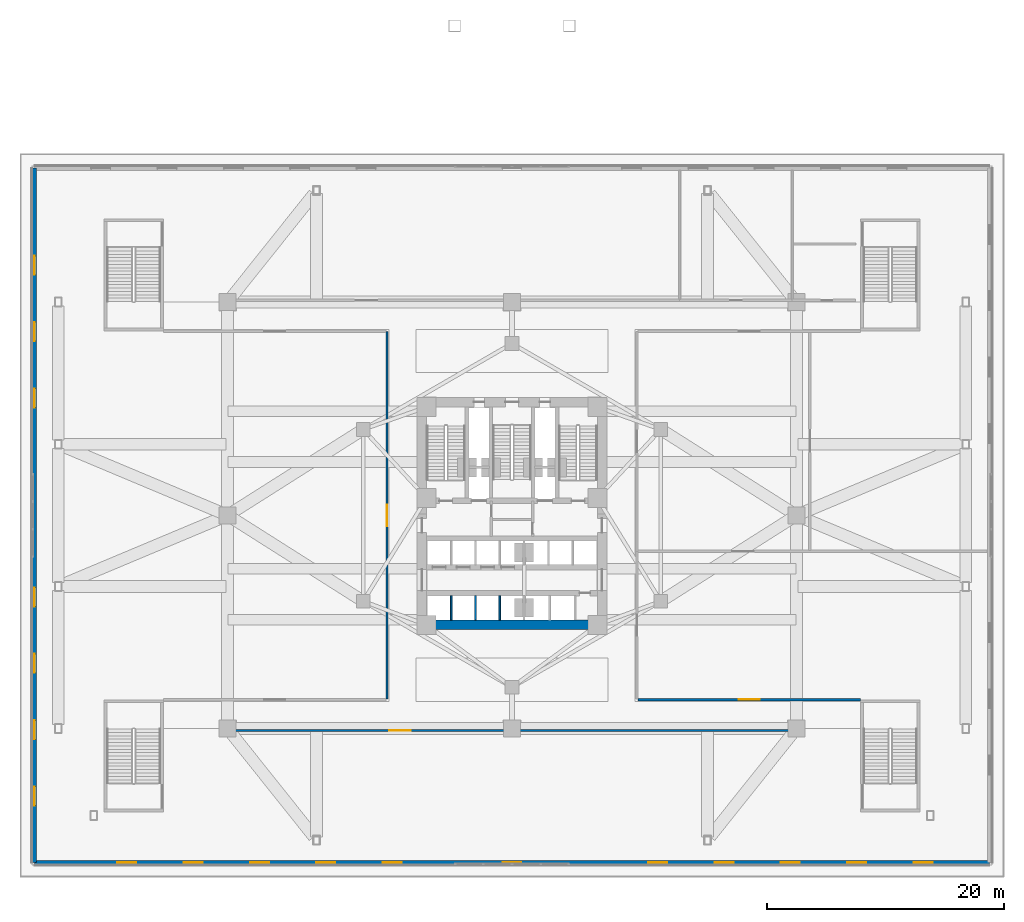
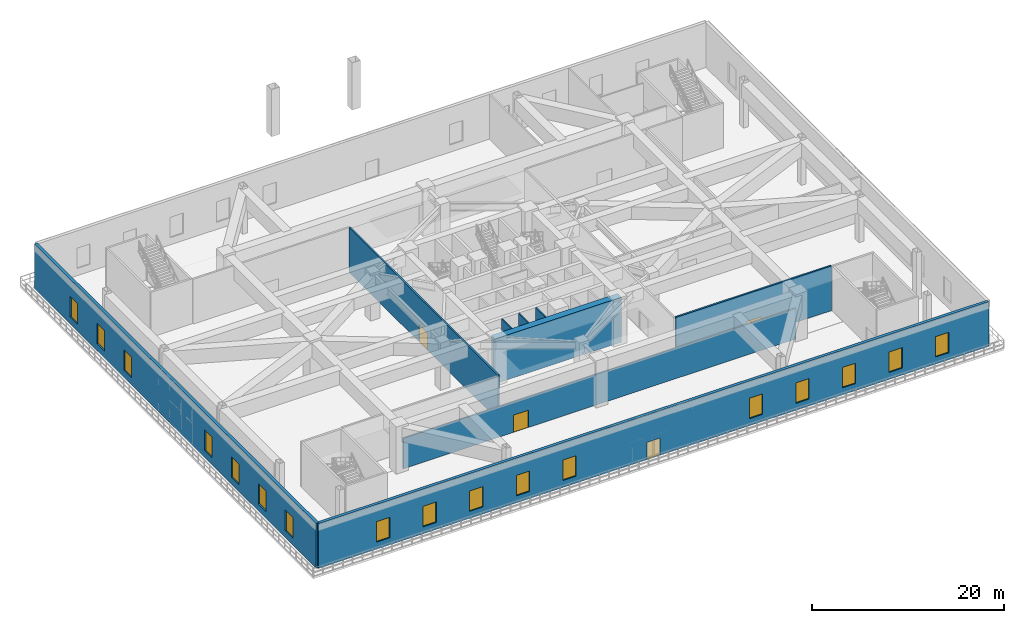
# One storey, part 11 of 25: 17 windows, 9 walls, 4 doors, 21 openings.
"""IFC4 building model written with IfcOpenShell, lengths in metres."""

import ifcopenshell
import ifcopenshell.guid

model = None  # the IFC model being written
_history = None  # IfcOwnerHistory: only IFC2X3 demands one
_inside = {}  # id of a spatial element -> (the spatial element, [elements in it])
_under = {}  # id of a project, library or spatial element -> (it, [spatial elements below it])
_declared = {}  # id of a project -> (the project, [libraries it declares])
_typed = {}  # id of a type object -> (the type object, [elements of that type])
_made_of = {}  # id of a material, layer set ... -> (it, [elements and type objects made of it])


def new_model(schema):
    """Start an empty IFC model of exactly this schema.

    Asked for "IFC4X3", IfcOpenShell would pick the latest addendum, in which some entities
    have other attributes; the version numbers below select the first issue.
    IFC2X3 requires an IfcOwnerHistory on every rooted entity: one is made here for all.
    """
    global model, _history
    if schema == "IFC4X3":
        model = ifcopenshell.file(schema_version=(4, 3, 0, 0))
    else:
        model = ifcopenshell.file(schema=schema)
    _inside.clear()
    _under.clear()
    _declared.clear()
    _typed.clear()
    _made_of.clear()
    _history = None
    if model.schema == "IFC2X3":
        org = make("IfcOrganization", Name="unknown")
        user = make(
            "IfcPersonAndOrganization",
            ThePerson=make("IfcPerson", FamilyName="unknown"),
            TheOrganization=org,
        )
        app = make(
            "IfcApplication",
            ApplicationDeveloper=org,
            Version="unknown",
            ApplicationFullName="unknown",
            ApplicationIdentifier="unknown",
        )
        _history = make(
            "IfcOwnerHistory",
            OwningUser=user,
            OwningApplication=app,
            ChangeAction="ADDED",
            CreationDate=0,
        )
    return model


def make(cls, **values):
    """One entity of the class cls with the attributes given. An attribute that is None is left unset."""
    return model.create_entity(
        cls, **{name: value for name, value in values.items() if value is not None}
    )


def rooted(cls, **values):
    """An entity with a GlobalId (a new one), such as an element, a storey or a relation."""
    return make(cls, GlobalId=ifcopenshell.guid.new(), OwnerHistory=_history, **values)


def si_unit(unit_type, name, prefix=None):
    """IfcSIUnit, for example si_unit("LENGTHUNIT", "METRE", prefix="MILLI")."""
    return make("IfcSIUnit", UnitType=unit_type, Prefix=prefix, Name=name)


def assignment(units):
    """IfcUnitAssignment: the units of a project."""
    return None if units is None else make("IfcUnitAssignment", Units=units)


def point(xyz):
    """IfcCartesianPoint."""
    return None if xyz is None else make("IfcCartesianPoint", Coordinates=xyz)


def direction(xyz):
    """IfcDirection."""
    return None if xyz is None else make("IfcDirection", DirectionRatios=xyz)


def frame(location, z_axis=None, x_axis=None):
    """IfcAxis2Placement3D, a coordinate frame: its origin and axes. An axis left out is left unset."""
    return make(
        "IfcAxis2Placement3D",
        Location=point(location),
        Axis=direction(z_axis),
        RefDirection=direction(x_axis),
    )


def frame_2d(location, x_axis=None):
    """IfcAxis2Placement2D, a coordinate frame in the plane: its origin and x axis."""
    return make(
        "IfcAxis2Placement2D", Location=point(location), RefDirection=direction(x_axis)
    )


def origin():
    """The frame at (0, 0, 0) with its axes left unset."""
    return frame((0.0, 0.0, 0.0))


def place(relative_to, where):
    """IfcLocalPlacement: puts the frame where relative to a parent placement (None: the world)."""
    return make(
        "IfcLocalPlacement", PlacementRelTo=relative_to, RelativePlacement=where
    )


def context(
    kind, dimensions, precision=None, world=None, true_north=None, identifier=None
):
    """IfcGeometricRepresentationContext, for example the 3D "Model" context."""
    return make(
        "IfcGeometricRepresentationContext",
        ContextIdentifier=identifier,
        ContextType=kind,
        CoordinateSpaceDimension=dimensions,
        Precision=precision,
        WorldCoordinateSystem=world,
        TrueNorth=true_north,
    )


def subcontext(parent, identifier, kind, view, scale=None):
    """IfcGeometricRepresentationSubContext, for example "Body" below "Model"."""
    return make(
        "IfcGeometricRepresentationSubContext",
        ContextIdentifier=identifier,
        ContextType=kind,
        ParentContext=parent,
        TargetScale=scale,
        TargetView=view,
    )


def project(units=None, contexts=None):
    """IfcProject with its units and contexts."""
    return rooted(
        "IfcProject",
        Name="project",
        RepresentationContexts=contexts,
        UnitsInContext=assignment(units),
    )


def spatial(cls, under=None, at=None, **own):
    """A site, building, storey or space (cls), placed at a placement, below another one or the project."""
    s = rooted(cls, ObjectPlacement=at, **own)
    if under is not None:
        _under.setdefault(under.id(), (under, []))[1].append(s)
    return s


def profile(cls, at=None, kind="AREA", **sizes):
    """A parametric profile (cls). Its sizes go by their IFC names, for example OverallWidth=200.0."""
    return make(cls, ProfileType=kind, Position=at, **sizes)


def rectangle(**sizes):
    """IfcRectangleProfileDef."""
    return profile("IfcRectangleProfileDef", **sizes)


def extrude(swept, where, along, depth):
    """IfcExtrudedAreaSolid: the profile swept, set in the frame where, extruded along a direction by depth."""
    return make(
        "IfcExtrudedAreaSolid",
        SweptArea=swept,
        Position=where,
        ExtrudedDirection=direction(along),
        Depth=depth,
    )


def shape(context_of_items, identifier, shape_type, items):
    """IfcShapeRepresentation: the items that make up one representation, for example the "Body"."""
    return make(
        "IfcShapeRepresentation",
        ContextOfItems=context_of_items,
        RepresentationIdentifier=identifier,
        RepresentationType=shape_type,
        Items=items,
    )


def material(Name=None, Category=None):
    """IfcMaterial."""
    return make("IfcMaterial", Name=Name, Category=Category)


def layer(
    of_material, thickness, ventilated=None, Name=None, Category=None, Priority=None
):
    """IfcMaterialLayer: one layer of a wall or slab, of a material (None: an air gap)."""
    return make(
        "IfcMaterialLayer",
        Material=of_material,
        LayerThickness=thickness,
        IsVentilated=ventilated,
        Name=Name,
        Category=Category,
        Priority=Priority,
    )


def layer_set(layers, Name=None):
    """IfcMaterialLayerSet."""
    return make("IfcMaterialLayerSet", MaterialLayers=layers, LayerSetName=Name)


def made_of(thing, what):
    """Note that an element or type object is made of a material, layer set ...; save() writes the relation."""
    if what is not None:
        _made_of.setdefault(what.id(), (what, []))[1].append(thing)
    return thing


def type_object(cls, material=None, **own):
    """A type object (cls), such as IfcWallType, which elements share."""
    return made_of(rooted(cls, **own), material)


def element(
    cls,
    number,
    at=None,
    inside=None,
    cuts=None,
    type_object=None,
    material=None,
    context=None,
    identifier="Body",
    shape_type=None,
    held_by="IfcProductDefinitionShape",
    body=None,
    shapes=None,
    **own,
):
    """One element of the class cls, such as IfcWall. Its Tag is "e" and its number.

    at: its placement. inside: the storey or other place that contains it. cuts: it is an
    opening in that element (IfcRelVoidsElement). A single representation is given by context,
    identifier, shape_type and body (its items); several are given by shapes. held_by: the class
    of the entity that holds the representations. save() writes the other relations.
    """
    e = rooted(cls, Tag="e%d" % number, ObjectPlacement=at, **own)
    if body is not None:
        shapes = [shape(context, identifier, shape_type, body)]
    if shapes is not None:
        e.Representation = make(held_by, Representations=shapes)
    if inside is not None:
        _inside.setdefault(inside.id(), (inside, []))[1].append(e)
    if cuts is not None:
        rooted(
            "IfcRelVoidsElement", RelatingBuildingElement=cuts, RelatedOpeningElement=e
        )
    if type_object is not None:
        _typed.setdefault(type_object.id(), (type_object, []))[1].append(e)
    return made_of(e, material)


def fill(opening, filler):
    """IfcRelFillsElement: the door or window that sits in an opening."""
    return rooted(
        "IfcRelFillsElement",
        RelatingOpeningElement=opening,
        RelatedBuildingElement=filler,
    )


def aggregate(whole, parts):
    """IfcRelAggregates: a whole, such as a stair, and the parts it consists of."""
    return rooted("IfcRelAggregates", RelatingObject=whole, RelatedObjects=parts)


def save(model, path):
    """Write the relations noted so far, then the file.

    IfcRelAggregates (storeys below a building ...), IfcRelContainedInSpatialStructure (elements
    in a storey), IfcRelDefinesByType, IfcRelAssociatesMaterial and IfcRelDeclares: one each for
    every whole, place, type object, material and project.
    """
    for whole, parts in _under.values():
        aggregate(whole, parts)
    for where, things in _inside.values():
        rooted(
            "IfcRelContainedInSpatialStructure",
            RelatedElements=things,
            RelatingStructure=where,
        )
    for kind, things in _typed.values():
        rooted("IfcRelDefinesByType", RelatedObjects=things, RelatingType=kind)
    for what, things in _made_of.values():
        rooted("IfcRelAssociatesMaterial", RelatedObjects=things, RelatingMaterial=what)
    for by, libraries in _declared.values():
        rooted("IfcRelDeclares", RelatingContext=by, RelatedDefinitions=libraries)
    model.write(path)


model = new_model("IFC4")

# Units and contexts
model_context = context("Model", 3, precision=1e-05, world=origin(), true_north=direction((0.0, 1.0)))
body_context = subcontext(model_context, "Body", "Model", "MODEL_VIEW")
ifc_project = project(units=[si_unit("LENGTHUNIT", "METRE"), si_unit("AREAUNIT", "SQUARE_METRE"), si_unit("VOLUMEUNIT", "CUBIC_METRE"), si_unit("PLANEANGLEUNIT", "RADIAN"), si_unit("MASSUNIT", "GRAM", prefix="KILO")], contexts=[model_context])

# Site, building, storey
site_placement = place(None, origin())
site = spatial("IfcSite", under=ifc_project, at=site_placement, CompositionType="ELEMENT")
building_placement = place(site_placement, origin())
building = spatial("IfcBuilding", under=site, at=building_placement, Name="Apsidion Concourse Tower", CompositionType="ELEMENT")
storey_placement = place(building_placement, frame((0.0, 0.0, 11.5)))
storey = spatial("IfcBuildingStorey", under=building, at=storey_placement, Name="L02", CompositionType="ELEMENT", Elevation=11.5)

# Wall, openings, door, windows
ifc_material_1 = material(Name="Precast concrete C40/50", Category="concrete")
ifc_layer_1 = layer(ifc_material_1, 0.360107421875)
ifc_layer_set_1 = layer_set([ifc_layer_1], Name="Precast concrete C40/50")
wall_type_1 = type_object("IfcWallType", Name="WL-EXT-360", PredefinedType="STANDARD", material=ifc_layer_set_1)
wall_1_placement = place(storey_placement, frame((40.300048828125, -29.300048828125, 0.0), z_axis=(0.0, 0.0, 1.0), x_axis=(-1.0, 0.0, 0.0)))
wall_1 = element("IfcWall", 1, at=wall_1_placement, inside=storey, type_object=wall_type_1, Name="L02 Podium Precast Stone Facade Wall S", PredefinedType="STANDARD", context=body_context, shape_type="SweptSolid", body=[
    extrude(rectangle(XDim=80.60009765625, YDim=0.360107421875, at=frame_2d((40.300048828125, 0.0))), origin(), (0.0, 0.0, 1.0), 5.699951171875),
])
opening_1_placement = place(wall_1_placement, frame((39.5, 0.0, 0.0)))
opening_1 = element("IfcOpeningElement", 2, at=opening_1_placement, cuts=wall_1, Name="Opening D-T2D", PredefinedType="OPENING", context=body_context, shape_type="SweptSolid", body=[
    extrude(rectangle(XDim=1.60009765625, YDim=2.199951171875, at=frame_2d((0.800048828125, 1.10009765625))), frame((0.0, 0.18994140625, 0.0), z_axis=(0.0, -1.0, 0.0), x_axis=(1.0, 0.0, 0.0)), (0.0, 0.0, 1.0), 0.380126953125),
])
opening_2_placement = place(wall_1_placement, frame((4.800048828125, 0.0, 0.89990234375)))
opening_2 = element("IfcOpeningElement", 3, at=opening_2_placement, cuts=wall_1, Name="Opening WN-02", PredefinedType="OPENING", context=body_context, shape_type="SweptSolid", body=[
    extrude(rectangle(XDim=1.60009765625, YDim=2.60009765625, at=frame_2d((0.800048828125, 1.300048828125))), frame((0.0, 0.18994140625, 0.0), z_axis=(0.0, -1.0, 0.0), x_axis=(1.0, 0.0, 0.0)), (0.0, 0.0, 1.0), 0.380126953125),
])
opening_3_placement = place(wall_1_placement, frame((10.39990234375, 0.0, 0.89990234375)))
opening_3 = element("IfcOpeningElement", 4, at=opening_3_placement, cuts=wall_1, Name="Opening WN-02", PredefinedType="OPENING", context=body_context, shape_type="SweptSolid", body=[
    extrude(rectangle(XDim=1.60009765625, YDim=2.60009765625, at=frame_2d((0.800048828125, 1.300048828125))), frame((0.0, 0.18994140625, 0.0), z_axis=(0.0, -1.0, 0.0), x_axis=(1.0, 0.0, 0.0)), (0.0, 0.0, 1.0), 0.380126953125),
])
opening_4_placement = place(wall_1_placement, frame((16.0, 0.0, 0.89990234375)))
opening_4 = element("IfcOpeningElement", 5, at=opening_4_placement, cuts=wall_1, Name="Opening WN-02", PredefinedType="OPENING", context=body_context, shape_type="SweptSolid", body=[
    extrude(rectangle(XDim=1.60009765625, YDim=2.60009765625, at=frame_2d((0.800048828125, 1.300048828125))), frame((0.0, 0.18994140625, 0.0), z_axis=(0.0, -1.0, 0.0), x_axis=(1.0, 0.0, 0.0)), (0.0, 0.0, 1.0), 0.380126953125),
])
opening_5_placement = place(wall_1_placement, frame((21.60009765625, 0.0, 0.89990234375)))
opening_5 = element("IfcOpeningElement", 6, at=opening_5_placement, cuts=wall_1, Name="Opening WN-02", PredefinedType="OPENING", context=body_context, shape_type="SweptSolid", body=[
    extrude(rectangle(XDim=1.60009765625, YDim=2.60009765625, at=frame_2d((0.800048828125, 1.300048828125))), frame((0.0, 0.18994140625, 0.0), z_axis=(0.0, -1.0, 0.0), x_axis=(1.0, 0.0, 0.0)), (0.0, 0.0, 1.0), 0.380126953125),
])
opening_6_placement = place(wall_1_placement, frame((27.199951171875, 0.0, 0.89990234375)))
opening_6 = element("IfcOpeningElement", 7, at=opening_6_placement, cuts=wall_1, Name="Opening WN-02", PredefinedType="OPENING", context=body_context, shape_type="SweptSolid", body=[
    extrude(rectangle(XDim=1.60009765625, YDim=2.60009765625, at=frame_2d((0.800048828125, 1.300048828125))), frame((0.0, 0.18994140625, 0.0), z_axis=(0.0, -1.0, 0.0), x_axis=(1.0, 0.0, 0.0)), (0.0, 0.0, 1.0), 0.380126953125),
])
opening_7_placement = place(wall_1_placement, frame((49.60009765625, 0.0, 0.89990234375)))
opening_7 = element("IfcOpeningElement", 8, at=opening_7_placement, cuts=wall_1, Name="Opening WN-02", PredefinedType="OPENING", context=body_context, shape_type="SweptSolid", body=[
    extrude(rectangle(XDim=1.60009765625, YDim=2.60009765625, at=frame_2d((0.800048828125, 1.300048828125))), frame((0.0, 0.18994140625, 0.0), z_axis=(0.0, -1.0, 0.0), x_axis=(1.0, 0.0, 0.0)), (0.0, 0.0, 1.0), 0.380126953125),
])
opening_8_placement = place(wall_1_placement, frame((55.199951171875, 0.0, 0.89990234375)))
opening_8 = element("IfcOpeningElement", 9, at=opening_8_placement, cuts=wall_1, Name="Opening WN-02", PredefinedType="OPENING", context=body_context, shape_type="SweptSolid", body=[
    extrude(rectangle(XDim=1.60009765625, YDim=2.60009765625, at=frame_2d((0.800048828125, 1.300048828125))), frame((0.0, 0.18994140625, 0.0), z_axis=(0.0, -1.0, 0.0), x_axis=(1.0, 0.0, 0.0)), (0.0, 0.0, 1.0), 0.380126953125),
])
opening_9_placement = place(wall_1_placement, frame((60.800048828125, 0.0, 0.89990234375)))
opening_9 = element("IfcOpeningElement", 10, at=opening_9_placement, cuts=wall_1, Name="Opening WN-02", PredefinedType="OPENING", context=body_context, shape_type="SweptSolid", body=[
    extrude(rectangle(XDim=1.60009765625, YDim=2.60009765625, at=frame_2d((0.800048828125, 1.300048828125))), frame((0.0, 0.18994140625, 0.0), z_axis=(0.0, -1.0, 0.0), x_axis=(1.0, 0.0, 0.0)), (0.0, 0.0, 1.0), 0.380126953125),
])
opening_10_placement = place(wall_1_placement, frame((66.39990234375, 0.0, 0.89990234375)))
opening_10 = element("IfcOpeningElement", 11, at=opening_10_placement, cuts=wall_1, Name="Opening WN-02", PredefinedType="OPENING", context=body_context, shape_type="SweptSolid", body=[
    extrude(rectangle(XDim=1.60009765625, YDim=2.60009765625, at=frame_2d((0.800048828125, 1.300048828125))), frame((0.0, 0.18994140625, 0.0), z_axis=(0.0, -1.0, 0.0), x_axis=(1.0, 0.0, 0.0)), (0.0, 0.0, 1.0), 0.380126953125),
])
opening_11_placement = place(wall_1_placement, frame((72.0, 0.0, 0.89990234375)))
opening_11 = element("IfcOpeningElement", 12, at=opening_11_placement, cuts=wall_1, Name="Opening WN-02", PredefinedType="OPENING", context=body_context, shape_type="SweptSolid", body=[
    extrude(rectangle(XDim=1.60009765625, YDim=2.60009765625, at=frame_2d((0.800048828125, 1.300048828125))), frame((0.0, 0.18994140625, 0.0), z_axis=(0.0, -1.0, 0.0), x_axis=(1.0, 0.0, 0.0)), (0.0, 0.0, 1.0), 0.380126953125),
])
ifc_material_2 = material(Name="Anodised aluminium EN AW-6063 T6", Category="aluminium")
door_type_1 = type_object("IfcDoorType", Name="DR-TER-1622D", OperationType="DOUBLE_DOOR_SINGLE_SWING", PredefinedType="DOOR", material=ifc_material_2)
door_1_placement = place(opening_1_placement, origin())
door_1 = element("IfcDoor", 13, at=door_1_placement, inside=storey, type_object=door_type_1, Name="L02 Podium Terrace Access Door S", OperationType="DOUBLE_DOOR_SINGLE_SWING", OverallHeight=2.199951171875, OverallWidth=1.60009765625, PredefinedType="DOOR", context=body_context, shape_type="SweptSolid", body=[
    extrude(rectangle(XDim=1.60009765625, YDim=2.199951171875, at=frame_2d((0.800048828125, 1.10009765625))), frame((0.0, 0.02490234375, 0.0), z_axis=(0.0, -1.0, 0.0), x_axis=(1.0, 0.0, 0.0)), (0.0, 0.0, 1.0), 0.050048828125),
])
fill(opening_1, door_1)
ifc_material_3 = material(Name="Insulated laminated low-E glass", Category="glass")
window_type = type_object("IfcWindowType", Name="WN-POD-1626", PartitioningType="DOUBLE_PANEL_VERTICAL", PredefinedType="WINDOW", material=ifc_material_3)
window_1_placement = place(opening_2_placement, origin())
window_1 = element("IfcWindow", 14, at=window_1_placement, inside=storey, type_object=window_type, Name="L02 Podium Window S-01", OverallHeight=2.60009765625, OverallWidth=1.60009765625, PartitioningType="DOUBLE_PANEL_VERTICAL", PredefinedType="WINDOW", context=body_context, shape_type="SweptSolid", body=[
    extrude(rectangle(XDim=1.60009765625, YDim=2.60009765625, at=frame_2d((0.800048828125, 1.300048828125))), frame((0.0, 0.030029296875, 0.0), z_axis=(0.0, -1.0, 0.0), x_axis=(1.0, 0.0, 0.0)), (0.0, 0.0, 1.0), 0.06005859375),
])
fill(opening_2, window_1)
window_2_placement = place(opening_3_placement, origin())
window_2 = element("IfcWindow", 15, at=window_2_placement, inside=storey, type_object=window_type, Name="L02 Podium Window S-02", OverallHeight=2.60009765625, OverallWidth=1.60009765625, PartitioningType="DOUBLE_PANEL_VERTICAL", PredefinedType="WINDOW", context=body_context, shape_type="SweptSolid", body=[
    extrude(rectangle(XDim=1.60009765625, YDim=2.60009765625, at=frame_2d((0.800048828125, 1.300048828125))), frame((0.0, 0.030029296875, 0.0), z_axis=(0.0, -1.0, 0.0), x_axis=(1.0, 0.0, 0.0)), (0.0, 0.0, 1.0), 0.06005859375),
])
fill(opening_3, window_2)
window_3_placement = place(opening_4_placement, origin())
window_3 = element("IfcWindow", 16, at=window_3_placement, inside=storey, type_object=window_type, Name="L02 Podium Window S-03", OverallHeight=2.60009765625, OverallWidth=1.60009765625, PartitioningType="DOUBLE_PANEL_VERTICAL", PredefinedType="WINDOW", context=body_context, shape_type="SweptSolid", body=[
    extrude(rectangle(XDim=1.60009765625, YDim=2.60009765625, at=frame_2d((0.800048828125, 1.300048828125))), frame((0.0, 0.030029296875, 0.0), z_axis=(0.0, -1.0, 0.0), x_axis=(1.0, 0.0, 0.0)), (0.0, 0.0, 1.0), 0.06005859375),
])
fill(opening_4, window_3)
window_4_placement = place(opening_5_placement, origin())
window_4 = element("IfcWindow", 17, at=window_4_placement, inside=storey, type_object=window_type, Name="L02 Podium Window S-04", OverallHeight=2.60009765625, OverallWidth=1.60009765625, PartitioningType="DOUBLE_PANEL_VERTICAL", PredefinedType="WINDOW", context=body_context, shape_type="SweptSolid", body=[
    extrude(rectangle(XDim=1.60009765625, YDim=2.60009765625, at=frame_2d((0.800048828125, 1.300048828125))), frame((0.0, 0.030029296875, 0.0), z_axis=(0.0, -1.0, 0.0), x_axis=(1.0, 0.0, 0.0)), (0.0, 0.0, 1.0), 0.06005859375),
])
fill(opening_5, window_4)
window_5_placement = place(opening_6_placement, origin())
window_5 = element("IfcWindow", 18, at=window_5_placement, inside=storey, type_object=window_type, Name="L02 Podium Window S-05", OverallHeight=2.60009765625, OverallWidth=1.60009765625, PartitioningType="DOUBLE_PANEL_VERTICAL", PredefinedType="WINDOW", context=body_context, shape_type="SweptSolid", body=[
    extrude(rectangle(XDim=1.60009765625, YDim=2.60009765625, at=frame_2d((0.800048828125, 1.300048828125))), frame((0.0, 0.030029296875, 0.0), z_axis=(0.0, -1.0, 0.0), x_axis=(1.0, 0.0, 0.0)), (0.0, 0.0, 1.0), 0.06005859375),
])
fill(opening_6, window_5)
window_6_placement = place(opening_7_placement, origin())
window_6 = element("IfcWindow", 19, at=window_6_placement, inside=storey, type_object=window_type, Name="L02 Podium Window S-09", OverallHeight=2.60009765625, OverallWidth=1.60009765625, PartitioningType="DOUBLE_PANEL_VERTICAL", PredefinedType="WINDOW", context=body_context, shape_type="SweptSolid", body=[
    extrude(rectangle(XDim=1.60009765625, YDim=2.60009765625, at=frame_2d((0.800048828125, 1.300048828125))), frame((0.0, 0.030029296875, 0.0), z_axis=(0.0, -1.0, 0.0), x_axis=(1.0, 0.0, 0.0)), (0.0, 0.0, 1.0), 0.06005859375),
])
fill(opening_7, window_6)
window_7_placement = place(opening_8_placement, origin())
window_7 = element("IfcWindow", 20, at=window_7_placement, inside=storey, type_object=window_type, Name="L02 Podium Window S-10", OverallHeight=2.60009765625, OverallWidth=1.60009765625, PartitioningType="DOUBLE_PANEL_VERTICAL", PredefinedType="WINDOW", context=body_context, shape_type="SweptSolid", body=[
    extrude(rectangle(XDim=1.60009765625, YDim=2.60009765625, at=frame_2d((0.800048828125, 1.300048828125))), frame((0.0, 0.030029296875, 0.0), z_axis=(0.0, -1.0, 0.0), x_axis=(1.0, 0.0, 0.0)), (0.0, 0.0, 1.0), 0.06005859375),
])
fill(opening_8, window_7)
window_8_placement = place(opening_9_placement, origin())
window_8 = element("IfcWindow", 21, at=window_8_placement, inside=storey, type_object=window_type, Name="L02 Podium Window S-11", OverallHeight=2.60009765625, OverallWidth=1.60009765625, PartitioningType="DOUBLE_PANEL_VERTICAL", PredefinedType="WINDOW", context=body_context, shape_type="SweptSolid", body=[
    extrude(rectangle(XDim=1.60009765625, YDim=2.60009765625, at=frame_2d((0.800048828125, 1.300048828125))), frame((0.0, 0.030029296875, 0.0), z_axis=(0.0, -1.0, 0.0), x_axis=(1.0, 0.0, 0.0)), (0.0, 0.0, 1.0), 0.06005859375),
])
fill(opening_9, window_8)
window_9_placement = place(opening_10_placement, origin())
window_9 = element("IfcWindow", 22, at=window_9_placement, inside=storey, type_object=window_type, Name="L02 Podium Window S-12", OverallHeight=2.60009765625, OverallWidth=1.60009765625, PartitioningType="DOUBLE_PANEL_VERTICAL", PredefinedType="WINDOW", context=body_context, shape_type="SweptSolid", body=[
    extrude(rectangle(XDim=1.60009765625, YDim=2.60009765625, at=frame_2d((0.800048828125, 1.300048828125))), frame((0.0, 0.030029296875, 0.0), z_axis=(0.0, -1.0, 0.0), x_axis=(1.0, 0.0, 0.0)), (0.0, 0.0, 1.0), 0.06005859375),
])
fill(opening_10, window_9)
window_10_placement = place(opening_11_placement, origin())
window_10 = element("IfcWindow", 23, at=window_10_placement, inside=storey, type_object=window_type, Name="L02 Podium Window S-13", OverallHeight=2.60009765625, OverallWidth=1.60009765625, PartitioningType="DOUBLE_PANEL_VERTICAL", PredefinedType="WINDOW", context=body_context, shape_type="SweptSolid", body=[
    extrude(rectangle(XDim=1.60009765625, YDim=2.60009765625, at=frame_2d((0.800048828125, 1.300048828125))), frame((0.0, 0.030029296875, 0.0), z_axis=(0.0, -1.0, 0.0), x_axis=(1.0, 0.0, 0.0)), (0.0, 0.0, 1.0), 0.06005859375),
])
fill(opening_11, window_10)

# Wall, openings, windows
wall_2_placement = place(storey_placement, frame((-40.300048828125, -29.300048828125, 0.0), z_axis=(0.0, 0.0, 1.0), x_axis=(0.0, 1.0, 0.0)))
wall_2 = element("IfcWall", 24, at=wall_2_placement, inside=storey, type_object=wall_type_1, Name="L02 Podium Precast Stone Facade Wall W", PredefinedType="STANDARD", context=body_context, shape_type="SweptSolid", body=[
    extrude(rectangle(XDim=58.60009765625, YDim=0.360107421875, at=frame_2d((29.300048828125, 0.0))), origin(), (0.0, 0.0, 1.0), 5.699951171875),
])
opening_12_placement = place(wall_2_placement, frame((4.800048828125, 0.0, 0.89990234375)))
opening_12 = element("IfcOpeningElement", 25, at=opening_12_placement, cuts=wall_2, Name="Opening WN-02", PredefinedType="OPENING", context=body_context, shape_type="SweptSolid", body=[
    extrude(rectangle(XDim=1.60009765625, YDim=2.60009765625, at=frame_2d((0.800048828125, 1.300048828125))), frame((0.0, 0.18994140625, 0.0), z_axis=(0.0, -1.0, 0.0), x_axis=(1.0, 0.0, 0.0)), (0.0, 0.0, 1.0), 0.380126953125),
])
opening_13_placement = place(wall_2_placement, frame((10.39990234375, 0.0, 0.89990234375)))
opening_13 = element("IfcOpeningElement", 26, at=opening_13_placement, cuts=wall_2, Name="Opening WN-02", PredefinedType="OPENING", context=body_context, shape_type="SweptSolid", body=[
    extrude(rectangle(XDim=1.60009765625, YDim=2.60009765625, at=frame_2d((0.800048828125, 1.300048828125))), frame((0.0, 0.18994140625, 0.0), z_axis=(0.0, -1.0, 0.0), x_axis=(1.0, 0.0, 0.0)), (0.0, 0.0, 1.0), 0.380126953125),
])
opening_14_placement = place(wall_2_placement, frame((16.0, 0.0, 0.89990234375)))
opening_14 = element("IfcOpeningElement", 27, at=opening_14_placement, cuts=wall_2, Name="Opening WN-02", PredefinedType="OPENING", context=body_context, shape_type="SweptSolid", body=[
    extrude(rectangle(XDim=1.60009765625, YDim=2.60009765625, at=frame_2d((0.800048828125, 1.300048828125))), frame((0.0, 0.18994140625, 0.0), z_axis=(0.0, -1.0, 0.0), x_axis=(1.0, 0.0, 0.0)), (0.0, 0.0, 1.0), 0.380126953125),
])
opening_15_placement = place(wall_2_placement, frame((21.60009765625, 0.0, 0.89990234375)))
opening_15 = element("IfcOpeningElement", 28, at=opening_15_placement, cuts=wall_2, Name="Opening WN-02", PredefinedType="OPENING", context=body_context, shape_type="SweptSolid", body=[
    extrude(rectangle(XDim=1.60009765625, YDim=2.60009765625, at=frame_2d((0.800048828125, 1.300048828125))), frame((0.0, 0.18994140625, 0.0), z_axis=(0.0, -1.0, 0.0), x_axis=(1.0, 0.0, 0.0)), (0.0, 0.0, 1.0), 0.380126953125),
])
opening_16_placement = place(wall_2_placement, frame((38.39990234375, 0.0, 0.89990234375)))
opening_16 = element("IfcOpeningElement", 29, at=opening_16_placement, cuts=wall_2, Name="Opening WN-02", PredefinedType="OPENING", context=body_context, shape_type="SweptSolid", body=[
    extrude(rectangle(XDim=1.60009765625, YDim=2.60009765625, at=frame_2d((0.800048828125, 1.300048828125))), frame((0.0, 0.18994140625, 0.0), z_axis=(0.0, -1.0, 0.0), x_axis=(1.0, 0.0, 0.0)), (0.0, 0.0, 1.0), 0.380126953125),
])
opening_17_placement = place(wall_2_placement, frame((44.0, 0.0, 0.89990234375)))
opening_17 = element("IfcOpeningElement", 30, at=opening_17_placement, cuts=wall_2, Name="Opening WN-02", PredefinedType="OPENING", context=body_context, shape_type="SweptSolid", body=[
    extrude(rectangle(XDim=1.60009765625, YDim=2.60009765625, at=frame_2d((0.800048828125, 1.300048828125))), frame((0.0, 0.18994140625, 0.0), z_axis=(0.0, -1.0, 0.0), x_axis=(1.0, 0.0, 0.0)), (0.0, 0.0, 1.0), 0.380126953125),
])
opening_18_placement = place(wall_2_placement, frame((49.60009765625, 0.0, 0.89990234375)))
opening_18 = element("IfcOpeningElement", 31, at=opening_18_placement, cuts=wall_2, Name="Opening WN-02", PredefinedType="OPENING", context=body_context, shape_type="SweptSolid", body=[
    extrude(rectangle(XDim=1.60009765625, YDim=2.60009765625, at=frame_2d((0.800048828125, 1.300048828125))), frame((0.0, 0.18994140625, 0.0), z_axis=(0.0, -1.0, 0.0), x_axis=(1.0, 0.0, 0.0)), (0.0, 0.0, 1.0), 0.380126953125),
])
window_11_placement = place(opening_12_placement, origin())
window_11 = element("IfcWindow", 32, at=window_11_placement, inside=storey, type_object=window_type, Name="L02 Podium Window W-01", OverallHeight=2.60009765625, OverallWidth=1.60009765625, PartitioningType="DOUBLE_PANEL_VERTICAL", PredefinedType="WINDOW", context=body_context, shape_type="SweptSolid", body=[
    extrude(rectangle(XDim=1.60009765625, YDim=2.60009765625, at=frame_2d((0.800048828125, 1.300048828125))), frame((0.0, 0.030029296875, 0.0), z_axis=(0.0, -1.0, 0.0), x_axis=(1.0, 0.0, 0.0)), (0.0, 0.0, 1.0), 0.06005859375),
])
fill(opening_12, window_11)
window_12_placement = place(opening_13_placement, origin())
window_12 = element("IfcWindow", 33, at=window_12_placement, inside=storey, type_object=window_type, Name="L02 Podium Window W-02", OverallHeight=2.60009765625, OverallWidth=1.60009765625, PartitioningType="DOUBLE_PANEL_VERTICAL", PredefinedType="WINDOW", context=body_context, shape_type="SweptSolid", body=[
    extrude(rectangle(XDim=1.60009765625, YDim=2.60009765625, at=frame_2d((0.800048828125, 1.300048828125))), frame((0.0, 0.030029296875, 0.0), z_axis=(0.0, -1.0, 0.0), x_axis=(1.0, 0.0, 0.0)), (0.0, 0.0, 1.0), 0.06005859375),
])
fill(opening_13, window_12)
window_13_placement = place(opening_14_placement, origin())
window_13 = element("IfcWindow", 34, at=window_13_placement, inside=storey, type_object=window_type, Name="L02 Podium Window W-03", OverallHeight=2.60009765625, OverallWidth=1.60009765625, PartitioningType="DOUBLE_PANEL_VERTICAL", PredefinedType="WINDOW", context=body_context, shape_type="SweptSolid", body=[
    extrude(rectangle(XDim=1.60009765625, YDim=2.60009765625, at=frame_2d((0.800048828125, 1.300048828125))), frame((0.0, 0.030029296875, 0.0), z_axis=(0.0, -1.0, 0.0), x_axis=(1.0, 0.0, 0.0)), (0.0, 0.0, 1.0), 0.06005859375),
])
fill(opening_14, window_13)
window_14_placement = place(opening_15_placement, origin())
window_14 = element("IfcWindow", 35, at=window_14_placement, inside=storey, type_object=window_type, Name="L02 Podium Window W-04", OverallHeight=2.60009765625, OverallWidth=1.60009765625, PartitioningType="DOUBLE_PANEL_VERTICAL", PredefinedType="WINDOW", context=body_context, shape_type="SweptSolid", body=[
    extrude(rectangle(XDim=1.60009765625, YDim=2.60009765625, at=frame_2d((0.800048828125, 1.300048828125))), frame((0.0, 0.030029296875, 0.0), z_axis=(0.0, -1.0, 0.0), x_axis=(1.0, 0.0, 0.0)), (0.0, 0.0, 1.0), 0.06005859375),
])
fill(opening_15, window_14)
window_15_placement = place(opening_16_placement, origin())
window_15 = element("IfcWindow", 36, at=window_15_placement, inside=storey, type_object=window_type, Name="L02 Podium Window W-07", OverallHeight=2.60009765625, OverallWidth=1.60009765625, PartitioningType="DOUBLE_PANEL_VERTICAL", PredefinedType="WINDOW", context=body_context, shape_type="SweptSolid", body=[
    extrude(rectangle(XDim=1.60009765625, YDim=2.60009765625, at=frame_2d((0.800048828125, 1.300048828125))), frame((0.0, 0.030029296875, 0.0), z_axis=(0.0, -1.0, 0.0), x_axis=(1.0, 0.0, 0.0)), (0.0, 0.0, 1.0), 0.06005859375),
])
fill(opening_16, window_15)
window_16_placement = place(opening_17_placement, origin())
window_16 = element("IfcWindow", 37, at=window_16_placement, inside=storey, type_object=window_type, Name="L02 Podium Window W-08", OverallHeight=2.60009765625, OverallWidth=1.60009765625, PartitioningType="DOUBLE_PANEL_VERTICAL", PredefinedType="WINDOW", context=body_context, shape_type="SweptSolid", body=[
    extrude(rectangle(XDim=1.60009765625, YDim=2.60009765625, at=frame_2d((0.800048828125, 1.300048828125))), frame((0.0, 0.030029296875, 0.0), z_axis=(0.0, -1.0, 0.0), x_axis=(1.0, 0.0, 0.0)), (0.0, 0.0, 1.0), 0.06005859375),
])
fill(opening_17, window_16)
window_17_placement = place(opening_18_placement, origin())
window_17 = element("IfcWindow", 38, at=window_17_placement, inside=storey, type_object=window_type, Name="L02 Podium Window W-09", OverallHeight=2.60009765625, OverallWidth=1.60009765625, PartitioningType="DOUBLE_PANEL_VERTICAL", PredefinedType="WINDOW", context=body_context, shape_type="SweptSolid", body=[
    extrude(rectangle(XDim=1.60009765625, YDim=2.60009765625, at=frame_2d((0.800048828125, 1.300048828125))), frame((0.0, 0.030029296875, 0.0), z_axis=(0.0, -1.0, 0.0), x_axis=(1.0, 0.0, 0.0)), (0.0, 0.0, 1.0), 0.06005859375),
])
fill(opening_18, window_17)

# Walls
ifc_material_4 = material(Name="Gypsum plasterboard partition")
ifc_layer_2 = layer(ifc_material_4, 0.14990234375)
ifc_layer_set_2 = layer_set([ifc_layer_2], Name="Gypsum plasterboard partition")
wall_type_2 = type_object("IfcWallType", Name="WL-INT-PAR-150", PredefinedType="PARTITIONING", material=ifc_layer_set_2)
for number, where, z_axis, x_axis, name in (
    (39, (-5.125, -8.85009765625, 0.0), (0.0, 0.0, 1.0), (0.0, 1.0, 0.0), "L02 Interior Partition WL-L02-B2DIV-1"),
    (40, (-3.074951171875, -8.85009765625, 0.0), (0.0, 0.0, 1.0), (0.0, 1.0, 0.0), "L02 Interior Partition WL-L02-B2DIV-2"),
    (41, (-1.02490234375, -8.85009765625, 0.0), (0.0, 0.0, 1.0), (0.0, 1.0, 0.0), "L02 Interior Partition WL-L02-B2DIV-3"),
):
    element("IfcWall", number, at=place(storey_placement, frame(where, z_axis=z_axis, x_axis=x_axis)), inside=storey, type_object=wall_type_2, Name=name, PredefinedType="PARTITIONING", context=body_context, shape_type="SweptSolid", body=[
        extrude(rectangle(XDim=2.080078125, YDim=0.14990234375, at=frame_2d((1.0400390625, 0.0))), origin(), (0.0, 0.0, 1.0), 5.699951171875),
    ])

# Wall, opening, door
ifc_layer_3 = layer(ifc_material_4, 0.179931640625)
ifc_layer_set_3 = layer_set([ifc_layer_3], Name="Gypsum plasterboard partition")
wall_type_3 = type_object("IfcWallType", Name="WL-INT-PAR-180", PredefinedType="PARTITIONING", material=ifc_layer_set_3)
wall_3_placement = place(storey_placement, frame((-23.60009765625, -18.14990234375, 0.0), z_axis=(0.0, 0.0, 1.0), x_axis=(1.0, 0.0, 0.0)))
wall_3 = element("IfcWall", 42, at=wall_3_placement, inside=storey, type_object=wall_type_3, Name="L02 Interior Partition WL-L02-SW", PredefinedType="PARTITIONING", context=body_context, shape_type="SweptSolid", body=[
    extrude(rectangle(XDim=47.2001953125, YDim=0.179931640625, at=frame_2d((23.60009765625, 0.0))), origin(), (0.0, 0.0, 1.0), 3.8798828125),
])
opening_19_placement = place(wall_3_placement, frame((13.260009765625, 0.0, 0.0)))
opening_19 = element("IfcOpeningElement", 43, at=opening_19_placement, cuts=wall_3, Name="Opening D-06D", PredefinedType="OPENING", context=body_context, shape_type="SweptSolid", body=[
    extrude(rectangle(XDim=1.800048828125, YDim=2.199951171875, at=frame_2d((0.89990234375, 1.10009765625))), frame((0.0, 0.10009765625, 0.0), z_axis=(0.0, -1.0, 0.0), x_axis=(1.0, 0.0, 0.0)), (0.0, 0.0, 1.0), 0.199951171875),
])
ifc_material_5 = material(Name="Brushed stainless steel 316", Category="steel")
door_type_2 = type_object("IfcDoorType", Name="DR-INT-D06D", OperationType="DOUBLE_DOOR_SINGLE_SWING", PredefinedType="DOOR", material=ifc_material_5)
door_2_placement = place(opening_19_placement, origin())
door_2 = element("IfcDoor", 44, at=door_2_placement, inside=storey, type_object=door_type_2, Name="L02 Convention Door WL-L02-SW", OperationType="DOUBLE_DOOR_SINGLE_SWING", OverallHeight=2.199951171875, OverallWidth=1.800048828125, PredefinedType="DOOR", context=body_context, shape_type="SweptSolid", body=[
    extrude(rectangle(XDim=1.800048828125, YDim=2.199951171875, at=frame_2d((0.89990234375, 1.10009765625))), frame((0.0, 0.02490234375, 0.0), z_axis=(0.0, -1.0, 0.0), x_axis=(1.0, 0.0, 0.0)), (0.0, 0.0, 1.0), 0.050048828125),
])
fill(opening_19, door_2)

ifc_layer_4 = layer(ifc_material_4, 0.199951171875)
ifc_layer_set_4 = layer_set([ifc_layer_4], Name="Gypsum plasterboard partition")
wall_type_4 = type_object("IfcWallType", Name="WL-INT-PAR-200", PredefinedType="PARTITIONING", material=ifc_layer_set_4)
wall_4_placement = place(storey_placement, frame((-10.550048828125, -15.5, 0.0), z_axis=(0.0, 0.0, 1.0), x_axis=(0.0, 1.0, 0.0)))
wall_4 = element("IfcWall", 45, at=wall_4_placement, inside=storey, type_object=wall_type_4, Name="L02 Interior Partition WL-L02-W1", PredefinedType="PARTITIONING", context=body_context, shape_type="SweptSolid", body=[
    extrude(rectangle(XDim=31.0, YDim=0.199951171875, at=frame_2d((15.5, 0.0))), origin(), (0.0, 0.0, 1.0), 5.699951171875),
])
opening_20_placement = place(wall_4_placement, frame((14.60009765625, 0.0, 0.0)))
opening_20 = element("IfcOpeningElement", 46, at=opening_20_placement, cuts=wall_4, Name="Opening D-06D", PredefinedType="OPENING", context=body_context, shape_type="SweptSolid", body=[
    extrude(rectangle(XDim=1.800048828125, YDim=2.199951171875, at=frame_2d((0.89990234375, 1.10009765625))), frame((0.0, 0.10986328125, 0.0), z_axis=(0.0, -1.0, 0.0), x_axis=(1.0, 0.0, 0.0)), (0.0, 0.0, 1.0), 0.219970703125),
])
door_3_placement = place(opening_20_placement, origin())
door_3 = element("IfcDoor", 47, at=door_3_placement, inside=storey, type_object=door_type_2, Name="L02 Convention Door WL-L02-W1", OperationType="DOUBLE_DOOR_SINGLE_SWING", OverallHeight=2.199951171875, OverallWidth=1.800048828125, PredefinedType="DOOR", context=body_context, shape_type="SweptSolid", body=[
    extrude(rectangle(XDim=1.800048828125, YDim=2.199951171875, at=frame_2d((0.89990234375, 1.10009765625))), frame((0.0, 0.02490234375, 0.0), z_axis=(0.0, -1.0, 0.0), x_axis=(1.0, 0.0, 0.0)), (0.0, 0.0, 1.0), 0.050048828125),
])
fill(opening_20, door_3)

wall_5_placement = place(storey_placement, frame((10.64990234375, -15.550048828125, 0.0), z_axis=(0.0, 0.0, 1.0), x_axis=(1.0, 0.0, 0.0)))
wall_5 = element("IfcWall", 48, at=wall_5_placement, inside=storey, type_object=wall_type_4, Name="L02 Interior Partition WL-L02-S2", PredefinedType="PARTITIONING", context=body_context, shape_type="SweptSolid", body=[
    extrude(rectangle(XDim=18.75, YDim=0.199951171875, at=frame_2d((9.375, 0.0))), origin(), (0.0, 0.0, 1.0), 5.699951171875),
])
opening_21_placement = place(wall_5_placement, frame((8.47509765625, 0.0, 0.0)))
opening_21 = element("IfcOpeningElement", 49, at=opening_21_placement, cuts=wall_5, Name="Opening D-06D", PredefinedType="OPENING", context=body_context, shape_type="SweptSolid", body=[
    extrude(rectangle(XDim=1.800048828125, YDim=2.199951171875, at=frame_2d((0.89990234375, 1.10009765625))), frame((0.0, 0.10986328125, 0.0), z_axis=(0.0, -1.0, 0.0), x_axis=(1.0, 0.0, 0.0)), (0.0, 0.0, 1.0), 0.219970703125),
])
door_4_placement = place(opening_21_placement, origin())
door_4 = element("IfcDoor", 50, at=door_4_placement, inside=storey, type_object=door_type_2, Name="L02 Convention Door WL-L02-S2", OperationType="DOUBLE_DOOR_SINGLE_SWING", OverallHeight=2.199951171875, OverallWidth=1.800048828125, PredefinedType="DOOR", context=body_context, shape_type="SweptSolid", body=[
    extrude(rectangle(XDim=1.800048828125, YDim=2.199951171875, at=frame_2d((0.89990234375, 1.10009765625))), frame((0.0, 0.02490234375, 0.0), z_axis=(0.0, -1.0, 0.0), x_axis=(1.0, 0.0, 0.0)), (0.0, 0.0, 1.0), 0.050048828125),
])
fill(opening_21, door_4)

# Wall
ifc_material_6 = material(Name="Concrete C60/75", Category="concrete")
ifc_layer_5 = layer(ifc_material_6, 0.800048828125)
ifc_layer_set_5 = layer_set([ifc_layer_5], Name="Concrete C60/75")
wall_type_5 = type_object("IfcWallType", Name="WL-SH-800", PredefinedType="SHEAR", material=ifc_layer_set_5)
wall_6_placement = place(storey_placement, frame((-7.60009765625, -9.25, 0.0), z_axis=(0.0, 0.0, 1.0), x_axis=(1.0, 0.0, 0.0)))
element("IfcWall", 51, at=wall_6_placement, inside=storey, type_object=wall_type_5, Name="L02 Central Core Shear Wall S", PredefinedType="SHEAR", context=body_context, shape_type="SweptSolid", body=[
    extrude(rectangle(XDim=15.2001953125, YDim=0.800048828125, at=frame_2d((7.60009765625, 0.0))), origin(), (0.0, 0.0, 1.0), 5.699951171875),
])

save(model, "model.ifc")
